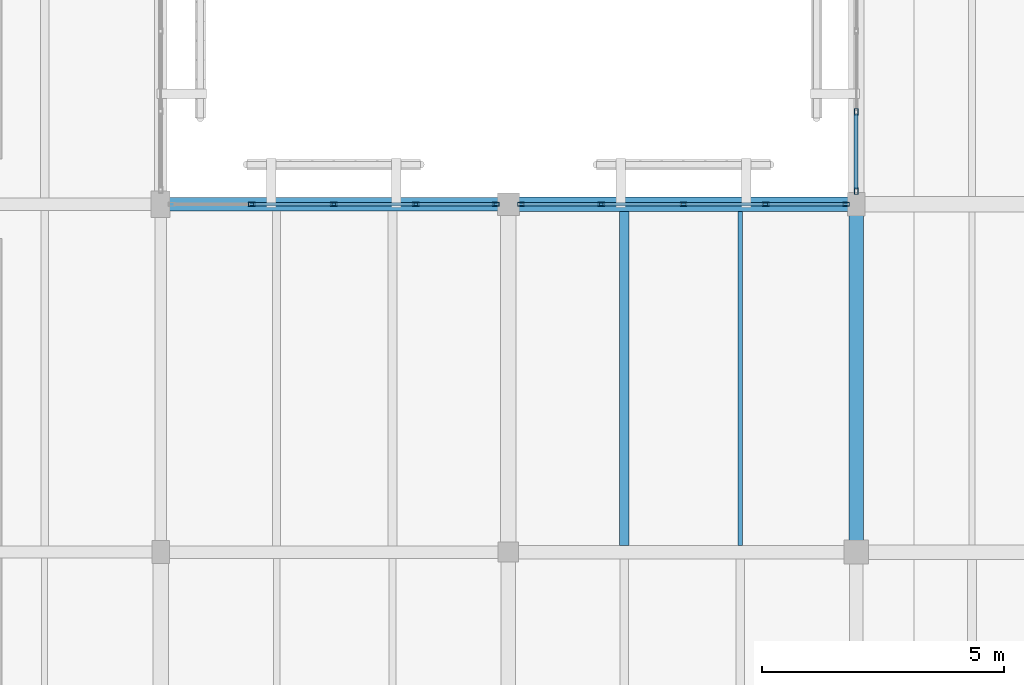
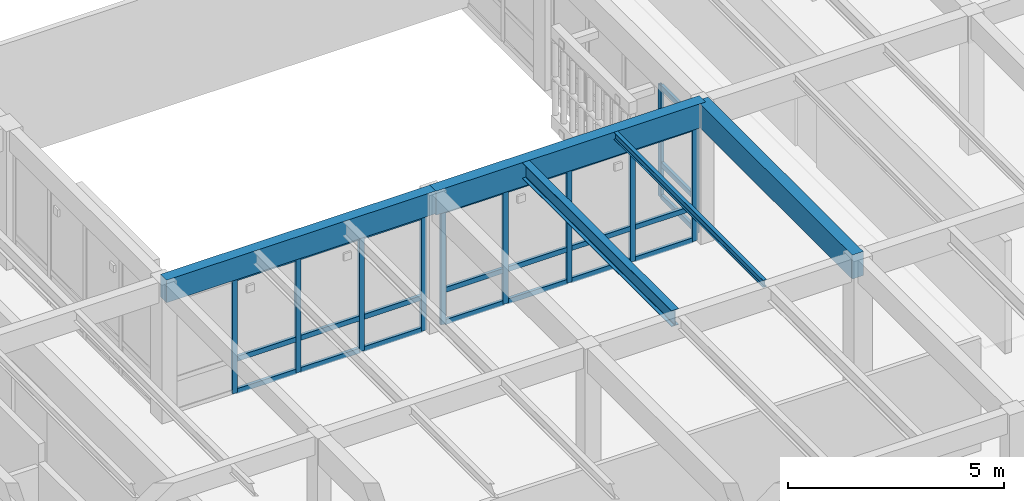
# One storey, part 15 of 112: 35 members, 5 beams, 3 elements without a shape of their own.
"""IFC4 building model written with IfcOpenShell, lengths in metres."""

from ifc_helpers import new_model, si_unit, direction, frame, origin, origin_2d, place, context, subcontext, project, spatial, rectangle, hollow_rectangle, i_section, extrude, material, layer, layer_set, material_profile, profile_set, type_object, element, aggregate, save


model = new_model("IFC4")

# Units and contexts
model_context = context("Model", 3, precision=1e-05, world=origin(), true_north=direction((0.0, 1.0)))
body_context = subcontext(model_context, "Body", "Model", "MODEL_VIEW")
ifc_project = project(units=[si_unit("LENGTHUNIT", "METRE"), si_unit("AREAUNIT", "SQUARE_METRE"), si_unit("VOLUMEUNIT", "CUBIC_METRE"), si_unit("PLANEANGLEUNIT", "RADIAN"), si_unit("MASSUNIT", "GRAM", prefix="KILO")], contexts=[model_context])

# Site, building, storey
site_placement = place(None, origin())
site = spatial("IfcSite", under=ifc_project, at=site_placement, CompositionType="ELEMENT")
building_placement = place(site_placement, origin())
building = spatial("IfcBuilding", under=site, at=building_placement, Name="Mazaris Harbour Polytechnic", CompositionType="ELEMENT")
storey_placement = place(building_placement, frame((0.0, 0.0, 13.800048828125)))
storey = spatial("IfcBuildingStorey", under=building, at=storey_placement, Name="L03", CompositionType="ELEMENT", Elevation=13.800048828125)

# Curtain wall, members
ifc_material_1 = material(Name="Anodised Bronze Aluminium and Low-E Glass", Category="aluminium")
ifc_layer = layer(ifc_material_1, 0.159912109375, Name="Anodised Bronze Aluminium and Low-E Glass")
ifc_layer_set = layer_set([ifc_layer], Name="Anodised Bronze Aluminium and Low-E Glass")
curtain_wall_type = type_object("IfcCurtainWallType", Name="Cloister Court Curtain Wall", PredefinedType="NOTDEFINED", material=ifc_layer_set)
curtain_wall_1_placement = place(storey_placement, origin())
curtain_wall_1 = element("IfcCurtainWall", 1, at=curtain_wall_1_placement, inside=storey, type_object=curtain_wall_type, Name="V4 L03 Curtain Wall 150", PredefinedType="NOTDEFINED")
ifc_material_2 = material(Name="Anodised Bronze Steel S355", Category="steel")
ifc_material_profile_1 = material_profile(ifc_material_2, hollow_rectangle(XDim=0.080078125, YDim=0.139892578125, WallThickness=0.00634765625, at=origin_2d()), Name="RHS 80x140x6.3")
ifc_profile_set_1 = profile_set([ifc_material_profile_1], Name="Anodised Bronze Steel S355")
member_type_1 = type_object("IfcMemberType", Name="Curtain Mullion RHS80x140", PredefinedType="MULLION", material=ifc_profile_set_1)
member_1_placement = place(storey_placement, frame((16.28857421875, 36.0, 0.0), z_axis=(0.0, 0.0, 1.0), x_axis=(0.0, 1.0, 0.0)))
member_1 = element("IfcMember", 2, at=member_1_placement, type_object=member_type_1, Name="CW-02 mullion 2", PredefinedType="MULLION", context=body_context, shape_type="SweptSolid", body=[
    extrude(hollow_rectangle(XDim=0.080078125, YDim=0.139892578125, WallThickness=0.00634765625, at=origin_2d()), origin(), (0.0, 0.0, 1.0), 3.27001953125),
])
member_2_placement = place(storey_placement, frame((17.985107421875, 36.0, 0.0), z_axis=(0.0, 0.0, 1.0), x_axis=(0.0, 1.0, 0.0)))
member_2 = element("IfcMember", 3, at=member_2_placement, type_object=member_type_1, Name="CW-02 mullion 3", PredefinedType="MULLION", context=body_context, shape_type="SweptSolid", body=[
    extrude(hollow_rectangle(XDim=0.080078125, YDim=0.139892578125, WallThickness=0.00634765625, at=origin_2d()), origin(), (0.0, 0.0, 1.0), 3.27001953125),
])
member_3_placement = place(storey_placement, frame((19.681396484375, 36.0, 0.0), z_axis=(0.0, 0.0, 1.0), x_axis=(0.0, 1.0, 0.0)))
member_3 = element("IfcMember", 4, at=member_3_placement, type_object=member_type_1, Name="CW-02 mullion 4", PredefinedType="MULLION", context=body_context, shape_type="SweptSolid", body=[
    extrude(hollow_rectangle(XDim=0.080078125, YDim=0.139892578125, WallThickness=0.00634765625, at=origin_2d()), origin(), (0.0, 0.0, 1.0), 3.27001953125),
])
member_4_placement = place(storey_placement, frame((21.337890625, 36.0, 0.0), z_axis=(0.0, 0.0, 1.0), x_axis=(0.0, 1.0, 0.0)))
member_4 = element("IfcMember", 5, at=member_4_placement, type_object=member_type_1, Name="CW-02 mullion 5", PredefinedType="MULLION", context=body_context, shape_type="SweptSolid", body=[
    extrude(hollow_rectangle(XDim=0.080078125, YDim=0.139892578125, WallThickness=0.00634765625, at=origin_2d()), origin(), (0.0, 0.0, 1.0), 3.27001953125),
])

curtain_wall_2_placement = place(storey_placement, origin())
curtain_wall_2 = element("IfcCurtainWall", 6, at=curtain_wall_2_placement, inside=storey, type_object=curtain_wall_type, Name="V4 L03 Curtain Wall 151", PredefinedType="NOTDEFINED")
member_5_placement = place(storey_placement, frame((21.862060546875, 36.0, 0.0), z_axis=(0.0, 0.0, 1.0), x_axis=(0.0, 1.0, 0.0)))
member_5 = element("IfcMember", 7, at=member_5_placement, type_object=member_type_1, Name="CW-02 mullion 1", PredefinedType="MULLION", context=body_context, shape_type="SweptSolid", body=[
    extrude(hollow_rectangle(XDim=0.080078125, YDim=0.139892578125, WallThickness=0.00634765625, at=origin_2d()), origin(), (0.0, 0.0, 1.0), 3.22998046875),
])
member_6_placement = place(storey_placement, frame((23.5234375, 36.0, 0.0), z_axis=(0.0, 0.0, 1.0), x_axis=(0.0, 1.0, 0.0)))
member_6 = element("IfcMember", 8, at=member_6_placement, type_object=member_type_1, Name="CW-02 mullion 2", PredefinedType="MULLION", context=body_context, shape_type="SweptSolid", body=[
    extrude(hollow_rectangle(XDim=0.080078125, YDim=0.139892578125, WallThickness=0.00634765625, at=origin_2d()), origin(), (0.0, 0.0, 1.0), 3.22998046875),
])
member_7_placement = place(storey_placement, frame((25.22509765625, 36.0, 0.0), z_axis=(0.0, 0.0, 1.0), x_axis=(0.0, 1.0, 0.0)))
member_7 = element("IfcMember", 9, at=member_7_placement, type_object=member_type_1, Name="CW-02 mullion 3", PredefinedType="MULLION", context=body_context, shape_type="SweptSolid", body=[
    extrude(hollow_rectangle(XDim=0.080078125, YDim=0.139892578125, WallThickness=0.00634765625, at=origin_2d()), origin(), (0.0, 0.0, 1.0), 3.22998046875),
])
member_8_placement = place(storey_placement, frame((26.926513671875, 36.0, 0.0), z_axis=(0.0, 0.0, 1.0), x_axis=(0.0, 1.0, 0.0)))
member_8 = element("IfcMember", 10, at=member_8_placement, type_object=member_type_1, Name="CW-02 mullion 4", PredefinedType="MULLION", context=body_context, shape_type="SweptSolid", body=[
    extrude(hollow_rectangle(XDim=0.080078125, YDim=0.139892578125, WallThickness=0.00634765625, at=origin_2d()), origin(), (0.0, 0.0, 1.0), 3.22998046875),
])
member_9_placement = place(storey_placement, frame((28.587890625, 36.0, 0.0), z_axis=(0.0, 0.0, 1.0), x_axis=(0.0, 1.0, 0.0)))
member_9 = element("IfcMember", 11, at=member_9_placement, type_object=member_type_1, Name="CW-02 mullion 5", PredefinedType="MULLION", context=body_context, shape_type="SweptSolid", body=[
    extrude(hollow_rectangle(XDim=0.080078125, YDim=0.139892578125, WallThickness=0.00634765625, at=origin_2d()), origin(), (0.0, 0.0, 1.0), 3.22998046875),
])

curtain_wall_3_placement = place(storey_placement, origin())
curtain_wall_3 = element("IfcCurtainWall", 12, at=curtain_wall_3_placement, inside=storey, type_object=curtain_wall_type, Name="V4 L03 Curtain Wall 158", PredefinedType="NOTDEFINED")
member_10_placement = place(storey_placement, frame((28.800048828125, 37.908447265625, 0.0), z_axis=(0.0, 0.0, 1.0), x_axis=(1.0, 0.0, 0.0)))
member_10 = element("IfcMember", 13, at=member_10_placement, type_object=member_type_1, Name="CW-02 mullion 4", PredefinedType="MULLION", context=body_context, shape_type="SweptSolid", body=[
    extrude(hollow_rectangle(XDim=0.080078125, YDim=0.139892578125, WallThickness=0.00634765625, at=origin_2d()), origin(), (0.0, 0.0, 1.0), 3.169921875),
])
member_11_placement = place(storey_placement, frame((28.800048828125, 36.27197265625, 0.0), z_axis=(0.0, 0.0, 1.0), x_axis=(1.0, 0.0, 0.0)))
member_11 = element("IfcMember", 14, at=member_11_placement, type_object=member_type_1, Name="CW-02 mullion 5", PredefinedType="MULLION", context=body_context, shape_type="SweptSolid", body=[
    extrude(hollow_rectangle(XDim=0.080078125, YDim=0.139892578125, WallThickness=0.00634765625, at=origin_2d()), origin(), (0.0, 0.0, 1.0), 3.169921875),
])

# Member
ifc_material_3 = material(Name="Anodised Bronze Steel S355", Category="steel")
ifc_material_profile_2 = material_profile(ifc_material_3, hollow_rectangle(XDim=0.080078125, YDim=0.139892578125, WallThickness=0.00634765625, at=origin_2d()), Name="RHS 80x140x6.3")
ifc_profile_set_2 = profile_set([ifc_material_profile_2], Name="Anodised Bronze Steel S355")
member_type_2 = type_object("IfcMemberType", Name="Curtain Transom RHS80x140", PredefinedType="USERDEFINED", material=ifc_profile_set_2)
member_12_placement = place(storey_placement, frame((16.32861328125, 36.0, 0.0400390625), z_axis=(1.0, 0.0, 0.0), x_axis=(0.0, 1.0, 0.0)))
member_12 = element("IfcMember", 15, at=member_12_placement, type_object=member_type_2, Name="CW-02 transom 2.1", ObjectType="TRANSOM", PredefinedType="USERDEFINED", context=body_context, shape_type="SweptSolid", body=[
    extrude(hollow_rectangle(XDim=0.080078125, YDim=0.139892578125, WallThickness=0.00634765625, at=origin_2d()), origin(), (0.0, 0.0, 1.0), 1.616455078125),
])

member_13_placement = place(storey_placement, frame((16.32861328125, 36.0, 0.949951171875), z_axis=(1.0, 0.0, 0.0), x_axis=(0.0, 1.0, 0.0)))
member_13 = element("IfcMember", 16, at=member_13_placement, type_object=member_type_2, Name="CW-02 transom 2.2", ObjectType="TRANSOM", PredefinedType="USERDEFINED", context=body_context, shape_type="SweptSolid", body=[
    extrude(hollow_rectangle(XDim=0.080078125, YDim=0.139892578125, WallThickness=0.00634765625, at=origin_2d()), origin(), (0.0, 0.0, 1.0), 1.616455078125),
])

member_14_placement = place(storey_placement, frame((16.32861328125, 36.0, 3.22998046875), z_axis=(1.0, 0.0, 0.0), x_axis=(0.0, 1.0, 0.0)))
member_14 = element("IfcMember", 17, at=member_14_placement, type_object=member_type_2, Name="CW-02 transom 2.3", ObjectType="TRANSOM", PredefinedType="USERDEFINED", context=body_context, shape_type="SweptSolid", body=[
    extrude(hollow_rectangle(XDim=0.080078125, YDim=0.139892578125, WallThickness=0.00634765625, at=origin_2d()), origin(), (0.0, 0.0, 1.0), 1.616455078125),
])

member_15_placement = place(storey_placement, frame((18.02490234375, 36.0, 0.0400390625), z_axis=(1.0, 0.0, 0.0), x_axis=(0.0, 1.0, 0.0)))
member_15 = element("IfcMember", 18, at=member_15_placement, type_object=member_type_2, Name="CW-02 transom 3.1", ObjectType="TRANSOM", PredefinedType="USERDEFINED", context=body_context, shape_type="SweptSolid", body=[
    extrude(hollow_rectangle(XDim=0.080078125, YDim=0.139892578125, WallThickness=0.00634765625, at=origin_2d()), origin(), (0.0, 0.0, 1.0), 1.61669921875),
])

member_16_placement = place(storey_placement, frame((18.02490234375, 36.0, 0.949951171875), z_axis=(1.0, 0.0, 0.0), x_axis=(0.0, 1.0, 0.0)))
member_16 = element("IfcMember", 19, at=member_16_placement, type_object=member_type_2, Name="CW-02 transom 3.2", ObjectType="TRANSOM", PredefinedType="USERDEFINED", context=body_context, shape_type="SweptSolid", body=[
    extrude(hollow_rectangle(XDim=0.080078125, YDim=0.139892578125, WallThickness=0.00634765625, at=origin_2d()), origin(), (0.0, 0.0, 1.0), 1.61669921875),
])

member_17_placement = place(storey_placement, frame((18.02490234375, 36.0, 3.22998046875), z_axis=(1.0, 0.0, 0.0), x_axis=(0.0, 1.0, 0.0)))
member_17 = element("IfcMember", 20, at=member_17_placement, type_object=member_type_2, Name="CW-02 transom 3.3", ObjectType="TRANSOM", PredefinedType="USERDEFINED", context=body_context, shape_type="SweptSolid", body=[
    extrude(hollow_rectangle(XDim=0.080078125, YDim=0.139892578125, WallThickness=0.00634765625, at=origin_2d()), origin(), (0.0, 0.0, 1.0), 1.61669921875),
])

member_18_placement = place(storey_placement, frame((19.721435546875, 36.0, 0.0400390625), z_axis=(1.0, 0.0, 0.0), x_axis=(0.0, 1.0, 0.0)))
member_18 = element("IfcMember", 21, at=member_18_placement, type_object=member_type_2, Name="CW-02 transom 4.1", ObjectType="TRANSOM", PredefinedType="USERDEFINED", context=body_context, shape_type="SweptSolid", body=[
    extrude(hollow_rectangle(XDim=0.080078125, YDim=0.139892578125, WallThickness=0.00634765625, at=origin_2d()), origin(), (0.0, 0.0, 1.0), 1.57666015625),
])

member_19_placement = place(storey_placement, frame((19.721435546875, 36.0, 0.949951171875), z_axis=(1.0, 0.0, 0.0), x_axis=(0.0, 1.0, 0.0)))
member_19 = element("IfcMember", 22, at=member_19_placement, type_object=member_type_2, Name="CW-02 transom 4.2", ObjectType="TRANSOM", PredefinedType="USERDEFINED", context=body_context, shape_type="SweptSolid", body=[
    extrude(hollow_rectangle(XDim=0.080078125, YDim=0.139892578125, WallThickness=0.00634765625, at=origin_2d()), origin(), (0.0, 0.0, 1.0), 1.57666015625),
])

member_20_placement = place(storey_placement, frame((19.721435546875, 36.0, 3.22998046875), z_axis=(1.0, 0.0, 0.0), x_axis=(0.0, 1.0, 0.0)))
member_20 = element("IfcMember", 23, at=member_20_placement, type_object=member_type_2, Name="CW-02 transom 4.3", ObjectType="TRANSOM", PredefinedType="USERDEFINED", context=body_context, shape_type="SweptSolid", body=[
    extrude(hollow_rectangle(XDim=0.080078125, YDim=0.139892578125, WallThickness=0.00634765625, at=origin_2d()), origin(), (0.0, 0.0, 1.0), 1.57666015625),
])

aggregate(curtain_wall_1, [member_1, member_2, member_3, member_4, member_12, member_13, member_14, member_15, member_16, member_17, member_18, member_19, member_20])

member_21_placement = place(storey_placement, frame((21.902099609375, 36.0, 0.0400390625), z_axis=(1.0, 0.0, 0.0), x_axis=(0.0, 1.0, 0.0)))
member_21 = element("IfcMember", 24, at=member_21_placement, type_object=member_type_2, Name="CW-02 transom 1.1", ObjectType="TRANSOM", PredefinedType="USERDEFINED", context=body_context, shape_type="SweptSolid", body=[
    extrude(hollow_rectangle(XDim=0.080078125, YDim=0.139892578125, WallThickness=0.00634765625, at=origin_2d()), origin(), (0.0, 0.0, 1.0), 1.581298828125),
])

member_22_placement = place(storey_placement, frame((21.902099609375, 36.0, 0.949951171875), z_axis=(1.0, 0.0, 0.0), x_axis=(0.0, 1.0, 0.0)))
member_22 = element("IfcMember", 25, at=member_22_placement, type_object=member_type_2, Name="CW-02 transom 1.2", ObjectType="TRANSOM", PredefinedType="USERDEFINED", context=body_context, shape_type="SweptSolid", body=[
    extrude(hollow_rectangle(XDim=0.080078125, YDim=0.139892578125, WallThickness=0.00634765625, at=origin_2d()), origin(), (0.0, 0.0, 1.0), 1.581298828125),
])

member_23_placement = place(storey_placement, frame((21.902099609375, 36.0, 3.18994140625), z_axis=(1.0, 0.0, 0.0), x_axis=(0.0, 1.0, 0.0)))
member_23 = element("IfcMember", 26, at=member_23_placement, type_object=member_type_2, Name="CW-02 transom 1.3", ObjectType="TRANSOM", PredefinedType="USERDEFINED", context=body_context, shape_type="SweptSolid", body=[
    extrude(hollow_rectangle(XDim=0.080078125, YDim=0.139892578125, WallThickness=0.00634765625, at=origin_2d()), origin(), (0.0, 0.0, 1.0), 1.581298828125),
])

member_24_placement = place(storey_placement, frame((23.5634765625, 36.0, 0.0400390625), z_axis=(1.0, 0.0, 0.0), x_axis=(0.0, 1.0, 0.0)))
member_24 = element("IfcMember", 27, at=member_24_placement, type_object=member_type_2, Name="CW-02 transom 2.1", ObjectType="TRANSOM", PredefinedType="USERDEFINED", context=body_context, shape_type="SweptSolid", body=[
    extrude(hollow_rectangle(XDim=0.080078125, YDim=0.139892578125, WallThickness=0.00634765625, at=origin_2d()), origin(), (0.0, 0.0, 1.0), 1.62158203125),
])

member_25_placement = place(storey_placement, frame((23.5634765625, 36.0, 0.949951171875), z_axis=(1.0, 0.0, 0.0), x_axis=(0.0, 1.0, 0.0)))
member_25 = element("IfcMember", 28, at=member_25_placement, type_object=member_type_2, Name="CW-02 transom 2.2", ObjectType="TRANSOM", PredefinedType="USERDEFINED", context=body_context, shape_type="SweptSolid", body=[
    extrude(hollow_rectangle(XDim=0.080078125, YDim=0.139892578125, WallThickness=0.00634765625, at=origin_2d()), origin(), (0.0, 0.0, 1.0), 1.62158203125),
])

member_26_placement = place(storey_placement, frame((23.5634765625, 36.0, 3.18994140625), z_axis=(1.0, 0.0, 0.0), x_axis=(0.0, 1.0, 0.0)))
member_26 = element("IfcMember", 29, at=member_26_placement, type_object=member_type_2, Name="CW-02 transom 2.3", ObjectType="TRANSOM", PredefinedType="USERDEFINED", context=body_context, shape_type="SweptSolid", body=[
    extrude(hollow_rectangle(XDim=0.080078125, YDim=0.139892578125, WallThickness=0.00634765625, at=origin_2d()), origin(), (0.0, 0.0, 1.0), 1.62158203125),
])

member_27_placement = place(storey_placement, frame((25.264892578125, 36.0, 0.0400390625), z_axis=(1.0, 0.0, 0.0), x_axis=(0.0, 1.0, 0.0)))
member_27 = element("IfcMember", 30, at=member_27_placement, type_object=member_type_2, Name="CW-02 transom 3.1", ObjectType="TRANSOM", PredefinedType="USERDEFINED", context=body_context, shape_type="SweptSolid", body=[
    extrude(hollow_rectangle(XDim=0.080078125, YDim=0.139892578125, WallThickness=0.00634765625, at=origin_2d()), origin(), (0.0, 0.0, 1.0), 1.62158203125),
])

member_28_placement = place(storey_placement, frame((25.264892578125, 36.0, 0.949951171875), z_axis=(1.0, 0.0, 0.0), x_axis=(0.0, 1.0, 0.0)))
member_28 = element("IfcMember", 31, at=member_28_placement, type_object=member_type_2, Name="CW-02 transom 3.2", ObjectType="TRANSOM", PredefinedType="USERDEFINED", context=body_context, shape_type="SweptSolid", body=[
    extrude(hollow_rectangle(XDim=0.080078125, YDim=0.139892578125, WallThickness=0.00634765625, at=origin_2d()), origin(), (0.0, 0.0, 1.0), 1.62158203125),
])

member_29_placement = place(storey_placement, frame((25.264892578125, 36.0, 3.18994140625), z_axis=(1.0, 0.0, 0.0), x_axis=(0.0, 1.0, 0.0)))
member_29 = element("IfcMember", 32, at=member_29_placement, type_object=member_type_2, Name="CW-02 transom 3.3", ObjectType="TRANSOM", PredefinedType="USERDEFINED", context=body_context, shape_type="SweptSolid", body=[
    extrude(hollow_rectangle(XDim=0.080078125, YDim=0.139892578125, WallThickness=0.00634765625, at=origin_2d()), origin(), (0.0, 0.0, 1.0), 1.62158203125),
])

member_30_placement = place(storey_placement, frame((26.966552734375, 36.0, 0.0400390625), z_axis=(1.0, 0.0, 0.0), x_axis=(0.0, 1.0, 0.0)))
member_30 = element("IfcMember", 33, at=member_30_placement, type_object=member_type_2, Name="CW-02 transom 4.1", ObjectType="TRANSOM", PredefinedType="USERDEFINED", context=body_context, shape_type="SweptSolid", body=[
    extrude(hollow_rectangle(XDim=0.080078125, YDim=0.139892578125, WallThickness=0.00634765625, at=origin_2d()), origin(), (0.0, 0.0, 1.0), 1.58154296875),
])

member_31_placement = place(storey_placement, frame((26.966552734375, 36.0, 0.949951171875), z_axis=(1.0, 0.0, 0.0), x_axis=(0.0, 1.0, 0.0)))
member_31 = element("IfcMember", 34, at=member_31_placement, type_object=member_type_2, Name="CW-02 transom 4.2", ObjectType="TRANSOM", PredefinedType="USERDEFINED", context=body_context, shape_type="SweptSolid", body=[
    extrude(hollow_rectangle(XDim=0.080078125, YDim=0.139892578125, WallThickness=0.00634765625, at=origin_2d()), origin(), (0.0, 0.0, 1.0), 1.58154296875),
])

member_32_placement = place(storey_placement, frame((26.966552734375, 36.0, 3.18994140625), z_axis=(1.0, 0.0, 0.0), x_axis=(0.0, 1.0, 0.0)))
member_32 = element("IfcMember", 35, at=member_32_placement, type_object=member_type_2, Name="CW-02 transom 4.3", ObjectType="TRANSOM", PredefinedType="USERDEFINED", context=body_context, shape_type="SweptSolid", body=[
    extrude(hollow_rectangle(XDim=0.080078125, YDim=0.139892578125, WallThickness=0.00634765625, at=origin_2d()), origin(), (0.0, 0.0, 1.0), 1.58154296875),
])

aggregate(curtain_wall_2, [member_5, member_6, member_7, member_8, member_9, member_21, member_22, member_23, member_24, member_25, member_26, member_27, member_28, member_29, member_30, member_31, member_32])

member_33_placement = place(storey_placement, frame((28.800048828125, 37.868408203125, 0.0400390625), z_axis=(0.0, -1.0, 0.0), x_axis=(1.0, 0.0, 0.0)))
member_33 = element("IfcMember", 36, at=member_33_placement, type_object=member_type_2, Name="CW-02 transom 4.1", ObjectType="TRANSOM", PredefinedType="USERDEFINED", context=body_context, shape_type="SweptSolid", body=[
    extrude(hollow_rectangle(XDim=0.080078125, YDim=0.139892578125, WallThickness=0.00634765625, at=origin_2d()), origin(), (0.0, 0.0, 1.0), 1.556396484375),
])

member_34_placement = place(storey_placement, frame((28.800048828125, 37.868408203125, 0.949951171875), z_axis=(0.0, -1.0, 0.0), x_axis=(1.0, 0.0, 0.0)))
member_34 = element("IfcMember", 37, at=member_34_placement, type_object=member_type_2, Name="CW-02 transom 4.2", ObjectType="TRANSOM", PredefinedType="USERDEFINED", context=body_context, shape_type="SweptSolid", body=[
    extrude(hollow_rectangle(XDim=0.080078125, YDim=0.139892578125, WallThickness=0.00634765625, at=origin_2d()), origin(), (0.0, 0.0, 1.0), 1.556396484375),
])

member_35_placement = place(storey_placement, frame((28.800048828125, 37.868408203125, 3.1298828125), z_axis=(0.0, -1.0, 0.0), x_axis=(1.0, 0.0, 0.0)))
member_35 = element("IfcMember", 38, at=member_35_placement, type_object=member_type_2, Name="CW-02 transom 4.3", ObjectType="TRANSOM", PredefinedType="USERDEFINED", context=body_context, shape_type="SweptSolid", body=[
    extrude(hollow_rectangle(XDim=0.080078125, YDim=0.139892578125, WallThickness=0.00634765625, at=origin_2d()), origin(), (0.0, 0.0, 1.0), 1.556396484375),
])

aggregate(curtain_wall_3, [member_10, member_11, member_33, member_34, member_35])

# Beams
ifc_material_4 = material(Name="Glulam GL32h", Category="wood")
ifc_material_profile_3 = material_profile(ifc_material_4, rectangle(XDim=0.280029296875, YDim=0.639892578125, at=origin_2d()), Name="RECT280x640")
ifc_profile_set_3 = profile_set([ifc_material_profile_3], Name="Glulam GL32h")
beam_type_1 = type_object("IfcBeamType", Name="Glulam Girder 280x640", PredefinedType="BEAM", material=ifc_profile_set_3)
beam_1_placement = place(storey_placement, frame((14.39990234375, 36.0, 3.599853515625), z_axis=(1.0, 0.0, 0.0), x_axis=(0.0, 1.0, 0.0)))
element("IfcBeam", 39, at=beam_1_placement, inside=storey, type_object=beam_type_1, Name="V4 L03 Girder 2192", PredefinedType="BEAM", context=body_context, shape_type="SweptSolid", body=[
    extrude(rectangle(XDim=0.280029296875, YDim=0.639892578125, at=origin_2d()), origin(), (0.0, 0.0, 1.0), 7.2001953125),
])
ifc_material_5 = material(Name="Glulam GL32h", Category="wood")
ifc_material_profile_4 = material_profile(ifc_material_5, rectangle(XDim=0.300048828125, YDim=0.679931640625, at=origin_2d()), Name="RECT300x680")
ifc_profile_set_4 = profile_set([ifc_material_profile_4], Name="Glulam GL32h")
beam_type_2 = type_object("IfcBeamType", Name="Glulam Girder 300x680", PredefinedType="BEAM", material=ifc_profile_set_4)
for number, where, z_axis, x_axis, name in (
    (40, (21.60009765625, 36.0, 3.579833984375), (1.0, 0.0, 0.0), (0.0, 1.0, 0.0), "V4 L03 Girder 2193"),
    (41, (28.800048828125, 28.800048828125, 3.579833984375), (0.0, 1.0, 0.0), (-1.0, 0.0, 0.0), "V4 L03 Tie Girder 2253"),
):
    element("IfcBeam", number, at=place(storey_placement, frame(where, z_axis=z_axis, x_axis=x_axis)), inside=storey, type_object=beam_type_2, Name=name, PredefinedType="BEAM", context=body_context, shape_type="SweptSolid", body=[
        extrude(rectangle(XDim=0.300048828125, YDim=0.679931640625, at=origin_2d()), origin(), (0.0, 0.0, 1.0), 7.199951171875),
    ])
ifc_material_6 = material(Name="Steel S355", Category="steel")
ifc_material_profile_5 = material_profile(ifc_material_6, i_section(OverallWidth=0.10009765625, OverallDepth=0.199951171875, WebThickness=0.005615234375, FlangeThickness=0.008544921875, FilletRadius=0.011962890625, at=origin_2d()), Name="IPE 200")
ifc_profile_set_5 = profile_set([ifc_material_profile_5], Name="Steel S355")
beam_type_3 = type_object("IfcBeamType", Name="Steel Joist IPE200", PredefinedType="JOIST", material=ifc_profile_set_5)
beam_2_placement = place(storey_placement, frame((26.39990234375, 28.93994140625, 3.820068359375), z_axis=(0.0, 1.0, 0.0), x_axis=(-1.0, 0.0, 0.0)))
element("IfcBeam", 42, at=beam_2_placement, inside=storey, type_object=beam_type_3, Name="V4 L03 Floor Joist 2324", PredefinedType="JOIST", context=body_context, shape_type="SweptSolid", body=[
    extrude(i_section(OverallWidth=0.10009765625, OverallDepth=0.199951171875, WebThickness=0.005615234375, FlangeThickness=0.008544921875, FilletRadius=0.011962890625, at=origin_2d()), origin(), (0.0, 0.0, 1.0), 6.91015625),
])
ifc_material_7 = material(Name="Steel S355", Category="steel")
ifc_material_profile_6 = material_profile(ifc_material_7, i_section(OverallWidth=0.18994140625, OverallDepth=0.449951171875, WebThickness=0.009521484375, FlangeThickness=0.0146484375, FilletRadius=0.02099609375, at=origin_2d()), Name="IPE 450")
ifc_profile_set_6 = profile_set([ifc_material_profile_6], Name="Steel S355")
beam_type_4 = type_object("IfcBeamType", Name="Steel Joist IPE450", PredefinedType="JOIST", material=ifc_profile_set_6)
beam_3_placement = place(storey_placement, frame((24.0, 28.93994140625, 3.695068359375), z_axis=(0.0, 1.0, 0.0), x_axis=(-1.0, 0.0, 0.0)))
element("IfcBeam", 43, at=beam_3_placement, inside=storey, type_object=beam_type_4, Name="V4 L03 Floor Joist 2323", PredefinedType="JOIST", context=body_context, shape_type="SweptSolid", body=[
    extrude(i_section(OverallWidth=0.18994140625, OverallDepth=0.449951171875, WebThickness=0.009521484375, FlangeThickness=0.0146484375, FilletRadius=0.02099609375, at=origin_2d()), origin(), (0.0, 0.0, 1.0), 6.91015625),
])

save(model, "model.ifc")
